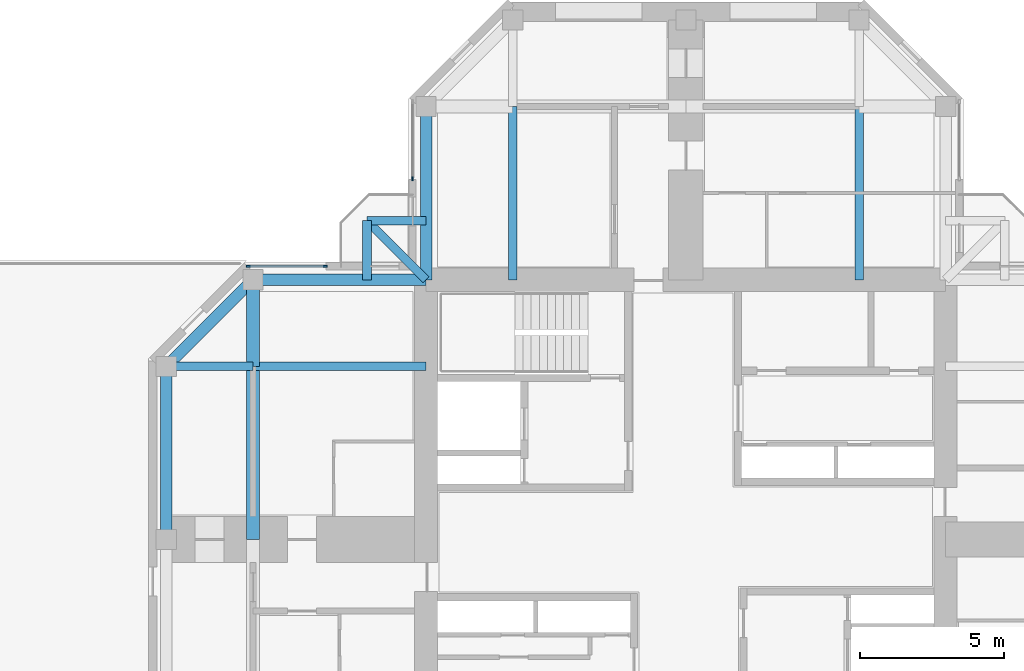
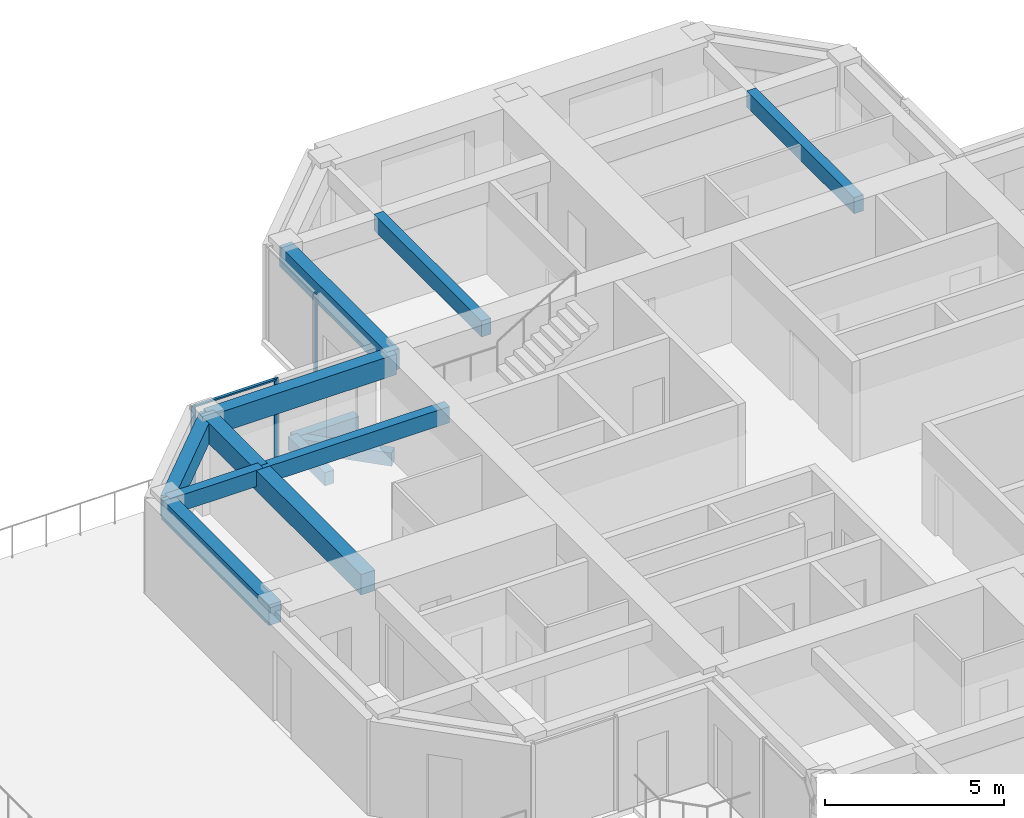
# One storey, part 4 of 14: 13 beams, 4 members, 2 elements without a shape of their own.
"""IFC4 building model written with IfcOpenShell, lengths in metres."""

from ifc_helpers import new_model, si_unit, direction, frame, origin, origin_2d, place, context, subcontext, project, spatial, rectangle, extrude, material, material_profile, profile_set, type_object, element, aggregate, save


model = new_model("IFC4")

# Units and contexts
model_context = context("Model", 3, precision=1e-05, world=origin(), true_north=direction((0.0, 1.0)))
body_context = subcontext(model_context, "Body", "Model", "MODEL_VIEW")
ifc_project = project(units=[si_unit("LENGTHUNIT", "METRE"), si_unit("AREAUNIT", "SQUARE_METRE"), si_unit("VOLUMEUNIT", "CUBIC_METRE"), si_unit("PLANEANGLEUNIT", "RADIAN"), si_unit("MASSUNIT", "GRAM", prefix="KILO")], contexts=[model_context])

# Site, building, storey
site_placement = place(None, origin())
site = spatial("IfcSite", under=ifc_project, at=site_placement, CompositionType="ELEMENT")
building_placement = place(site_placement, origin())
building = spatial("IfcBuilding", under=site, at=building_placement, Name="Torre Cruceta", CompositionType="ELEMENT")
storey_placement = place(building_placement, frame((0.0, 0.0, 257.699951171875)))
storey = spatial("IfcBuildingStorey", under=building, at=storey_placement, Name="L66", CompositionType="ELEMENT", Elevation=257.699951171875)

# Beams
ifc_material_1 = material(Name="Concrete G60 (fck 60 MPa)", Category="concrete")
ifc_material_profile_1 = material_profile(ifc_material_1, rectangle(XDim=0.300048828125, YDim=0.449951171875, at=origin_2d()), Name="RC 300X450")
ifc_profile_set_1 = profile_set([ifc_material_profile_1], Name="Concrete G60 (fck 60 MPa)")
beam_type_1 = type_object("IfcBeamType", Name="BALCONY CANTILEVER BEAM RC 300X450", PredefinedType="BEAM", material=ifc_profile_set_1)
beam_1_placement = place(storey_placement, frame((-9.0, 9.0, -0.405029296875), z_axis=(-0.707106781187, 0.707106781187, 0.0), x_axis=(-0.707106781187, -0.707106781187, 0.0)))
element("IfcBeam", 1, at=beam_1_placement, inside=storey, type_object=beam_type_1, Name="BB1 balcony beam L66 N", PredefinedType="BEAM", context=body_context, shape_type="SweptSolid", body=[
    extrude(rectangle(XDim=0.300048828125, YDim=0.449951171875, at=origin_2d()), origin(), (0.0, 0.0, 1.0), 2.89990234375),
])
for number, where, z_axis, x_axis, name in (
    (2, (-11.050537109375, 9.0, -0.405029296875), (0.0, 1.0, 0.0), (-1.0, 0.0, 0.0), "BB1 balcony edge beam L66 N-X"),
    (3, (-9.0, 11.050537109375, -0.405029296875), (-1.0, 0.0, 0.0), (0.0, -1.0, 0.0), "BB1 balcony edge beam L66 N-Y"),
):
    element("IfcBeam", number, at=place(storey_placement, frame(where, z_axis=z_axis, x_axis=x_axis)), inside=storey, type_object=beam_type_1, Name=name, PredefinedType="BEAM", context=body_context, shape_type="SweptSolid", body=[
        extrude(rectangle(XDim=0.300048828125, YDim=0.449951171875, at=origin_2d()), origin(), (0.0, 0.0, 1.0), 2.050537109375),
    ])
ifc_material_2 = material(Name="Concrete G60 (fck 60 MPa)", Category="concrete")
ifc_material_profile_2 = material_profile(ifc_material_2, rectangle(XDim=0.300048828125, YDim=0.550048828125, at=origin_2d()), Name="RC 300X550")
ifc_profile_set_2 = profile_set([ifc_material_profile_2], Name="Concrete G60 (fck 60 MPa)")
beam_type_2 = type_object("IfcBeamType", Name="COLUMN LINE BEAM RC 300X550", PredefinedType="BEAM", material=ifc_profile_set_2)
for number, where, z_axis, x_axis, name in (
    (4, (6.0, 9.0, 2.945068359375), (0.0, 1.0, 0.0), (-1.0, 0.0, 0.0), "LB10 L66 N col- 1"),
    (5, (-6.0, 9.0, 2.945068359375), (0.0, 1.0, 0.0), (-1.0, 0.0, 0.0), "LB10 L66 N col+ 1"),
    (6, (-9.0, 6.0, 2.945068359375), (-1.0, 0.0, 0.0), (0.0, -1.0, 0.0), "LB10 L66 W col- 1"),
):
    element("IfcBeam", number, at=place(storey_placement, frame(where, z_axis=z_axis, x_axis=x_axis)), inside=storey, type_object=beam_type_2, Name=name, PredefinedType="BEAM", context=body_context, shape_type="SweptSolid", body=[
        extrude(rectangle(XDim=0.300048828125, YDim=0.550048828125, at=origin_2d()), origin(), (0.0, 0.0, 1.0), 6.0),
    ])
beam_2_placement = place(storey_placement, frame((-15.0, 6.0, 2.945068359375), z_axis=(-1.0, 0.0, 0.0), x_axis=(0.0, -1.0, 0.0)))
element("IfcBeam", 7, at=beam_2_placement, inside=storey, type_object=beam_type_2, Name="LB10 L66 W col- 2", PredefinedType="BEAM", context=body_context, shape_type="SweptSolid", body=[
    extrude(rectangle(XDim=0.300048828125, YDim=0.550048828125, at=origin_2d()), origin(), (0.0, 0.0, 1.0), 3.0),
])
ifc_material_3 = material(Name="Concrete G60 (fck 60 MPa)", Category="concrete")
ifc_material_profile_3 = material_profile(ifc_material_3, rectangle(XDim=0.449951171875, YDim=0.699951171875, at=origin_2d()), Name="RC 450X700")
ifc_profile_set_3 = profile_set([ifc_material_profile_3], Name="Concrete G60 (fck 60 MPa)")
beam_type_3 = type_object("IfcBeamType", Name="CROSS BEAM RC 450X700", PredefinedType="BEAM", material=ifc_profile_set_3)
beam_3_placement = place(storey_placement, frame((-15.0, 9.0, 2.8701171875), z_axis=(0.0, -1.0, 0.0), x_axis=(1.0, 0.0, 0.0)))
element("IfcBeam", 8, at=beam_3_placement, inside=storey, type_object=beam_type_3, Name="GB8 L66 W cross15 1", PredefinedType="BEAM", context=body_context, shape_type="SweptSolid", body=[
    extrude(rectangle(XDim=0.449951171875, YDim=0.699951171875, at=origin_2d()), origin(), (0.0, 0.0, 1.0), 3.0),
])
beam_4_placement = place(storey_placement, frame((-15.0, 6.0, 2.8701171875), z_axis=(0.0, -1.0, 0.0), x_axis=(1.0, 0.0, 0.0)))
element("IfcBeam", 9, at=beam_4_placement, inside=storey, type_object=beam_type_3, Name="GB8 L66 W cross15 2", PredefinedType="BEAM", context=body_context, shape_type="SweptSolid", body=[
    extrude(rectangle(XDim=0.449951171875, YDim=0.699951171875, at=origin_2d()), origin(), (0.0, 0.0, 1.0), 6.0),
])

# Curtain wall, member
ifc_material_4 = material(Name="Aluminium unitised curtain wall", Category="aluminium")
curtain_wall_type = type_object("IfcCurtainWallType", Name="CURTAIN WALL CW-E CO-LIVING TOP", PredefinedType="USERDEFINED", material=ifc_material_4)
curtain_wall_1_placement = place(storey_placement, origin())
curtain_wall_1 = element("IfcCurtainWall", 10, at=curtain_wall_1_placement, inside=storey, type_object=curtain_wall_type, Name="CW-E L66 N side 09", ObjectType="UNITISED", PredefinedType="USERDEFINED")
ifc_material_5 = material(Name="Aluminium mullion", Category="aluminium")
ifc_material_profile_4 = material_profile(ifc_material_5, rectangle(XDim=0.054931640625, YDim=0.139892578125, at=origin_2d()), Name="AL 55X140")
ifc_profile_set_4 = profile_set([ifc_material_profile_4], Name="Aluminium mullion")
member_type_1 = type_object("IfcMemberType", Name="CW-E MULLION 55X140", PredefinedType="MULLION", material=ifc_profile_set_4)
member_1_placement = place(storey_placement, frame((-9.469970703125, 12.49755859375, 0.0), z_axis=(0.0, 0.0, 1.0), x_axis=(1.0, 0.0, 0.0)))
member_1 = element("IfcMember", 11, at=member_1_placement, type_object=member_type_1, Name="CW-E mullion 2", PredefinedType="MULLION", context=body_context, shape_type="SweptSolid", body=[
    extrude(rectangle(XDim=0.054931640625, YDim=0.139892578125, at=origin_2d()), origin(), (0.0, 0.0, 1.0), 3.219970703125),
])
aggregate(curtain_wall_1, [member_1])

# Curtain wall, members
curtain_wall_2_placement = place(storey_placement, origin())
curtain_wall_2 = element("IfcCurtainWall", 12, at=curtain_wall_2_placement, inside=storey, type_object=curtain_wall_type, Name="CW-E L66 W side 10", ObjectType="UNITISED", PredefinedType="USERDEFINED")
member_2_placement = place(storey_placement, frame((-12.49755859375, 9.469970703125, 0.0), z_axis=(0.0, 0.0, 1.0), x_axis=(0.0, -1.0, 0.0)))
member_2 = element("IfcMember", 13, at=member_2_placement, type_object=member_type_1, Name="CW-E mullion 1", PredefinedType="MULLION", context=body_context, shape_type="SweptSolid", body=[
    extrude(rectangle(XDim=0.054931640625, YDim=0.139892578125, at=origin_2d()), origin(), (0.0, 0.0, 1.0), 3.219970703125),
])
member_3_placement = place(storey_placement, frame((-15.167236328125, 9.469970703125, 0.0), z_axis=(0.0, 0.0, 1.0), x_axis=(0.0, -1.0, 0.0)))
member_3 = element("IfcMember", 14, at=member_3_placement, type_object=member_type_1, Name="CW-E mullion 2", PredefinedType="MULLION", context=body_context, shape_type="SweptSolid", body=[
    extrude(rectangle(XDim=0.054931640625, YDim=0.139892578125, at=origin_2d()), origin(), (0.0, 0.0, 1.0), 3.219970703125),
])
ifc_material_6 = material(Name="Aluminium transom", Category="aluminium")
ifc_material_profile_5 = material_profile(ifc_material_6, rectangle(XDim=0.090087890625, YDim=0.054931640625, at=origin_2d()), Name="AL 90X55")
ifc_profile_set_5 = profile_set([ifc_material_profile_5], Name="Aluminium transom")
member_type_2 = type_object("IfcMemberType", Name="CW-E TRANSOM 55X90", PredefinedType="USERDEFINED", material=ifc_profile_set_5)
member_4_placement = place(storey_placement, frame((-12.52490234375, 9.469970703125, 3.192626953125), z_axis=(-1.0, 0.0, 0.0), x_axis=(0.0, -1.0, 0.0)))
member_4 = element("IfcMember", 15, at=member_4_placement, type_object=member_type_2, Name="CW-E transom 1", ObjectType="TRANSOM", PredefinedType="USERDEFINED", context=body_context, shape_type="SweptSolid", body=[
    extrude(rectangle(XDim=0.090087890625, YDim=0.054931640625, at=origin_2d()), origin(), (0.0, 0.0, 1.0), 2.61474609375),
])
aggregate(curtain_wall_2, [member_2, member_3, member_4])

# Beams
ifc_material_7 = material(Name="Concrete G60 (fck 60 MPa)", Category="concrete")
ifc_material_profile_6 = material_profile(ifc_material_7, rectangle(XDim=0.39990234375, YDim=0.699951171875, at=origin_2d()), Name="RC 400X700")
ifc_profile_set_6 = profile_set([ifc_material_profile_6], Name="Concrete G60 (fck 60 MPa)")
beam_type_4 = type_object("IfcBeamType", Name="SPANDREL BEAM RC 400X700", PredefinedType="SPANDREL", material=ifc_profile_set_6)
for number, where, z_axis, x_axis, name in (
    (16, (-9.0, 9.0, 2.8701171875), (0.0, 1.0, 0.0), (-1.0, 0.0, 0.0), "SB8 L66 N side+ 1"),
    (17, (-9.0, 9.0, 2.8701171875), (-1.0, 0.0, 0.0), (0.0, -1.0, 0.0), "SB8 L66 W side- 1"),
):
    element("IfcBeam", number, at=place(storey_placement, frame(where, z_axis=z_axis, x_axis=x_axis)), inside=storey, type_object=beam_type_4, Name=name, PredefinedType="SPANDREL", context=body_context, shape_type="SweptSolid", body=[
        extrude(rectangle(XDim=0.39990234375, YDim=0.699951171875, at=origin_2d()), origin(), (0.0, 0.0, 1.0), 6.0),
    ])
beam_5_placement = place(storey_placement, frame((-15.0, 9.0, 2.8701171875), z_axis=(-0.707106781187, -0.707106781187, 0.0), x_axis=(0.707106781187, -0.707106781187, 0.0)))
element("IfcBeam", 18, at=beam_5_placement, inside=storey, type_object=beam_type_4, Name="SB8 L66 W side- 2", PredefinedType="SPANDREL", context=body_context, shape_type="SweptSolid", body=[
    extrude(rectangle(XDim=0.39990234375, YDim=0.699951171875, at=origin_2d()), origin(), (0.0, 0.0, 1.0), 4.24267578125),
])
beam_6_placement = place(storey_placement, frame((-18.0, 6.0, 2.8701171875), z_axis=(0.0, -1.0, 0.0), x_axis=(1.0, 0.0, 0.0)))
element("IfcBeam", 19, at=beam_6_placement, inside=storey, type_object=beam_type_4, Name="SB8 L66 W tip 1", PredefinedType="SPANDREL", context=body_context, shape_type="SweptSolid", body=[
    extrude(rectangle(XDim=0.39990234375, YDim=0.699951171875, at=origin_2d()), origin(), (0.0, 0.0, 1.0), 6.0),
])

save(model, "model.ifc")
